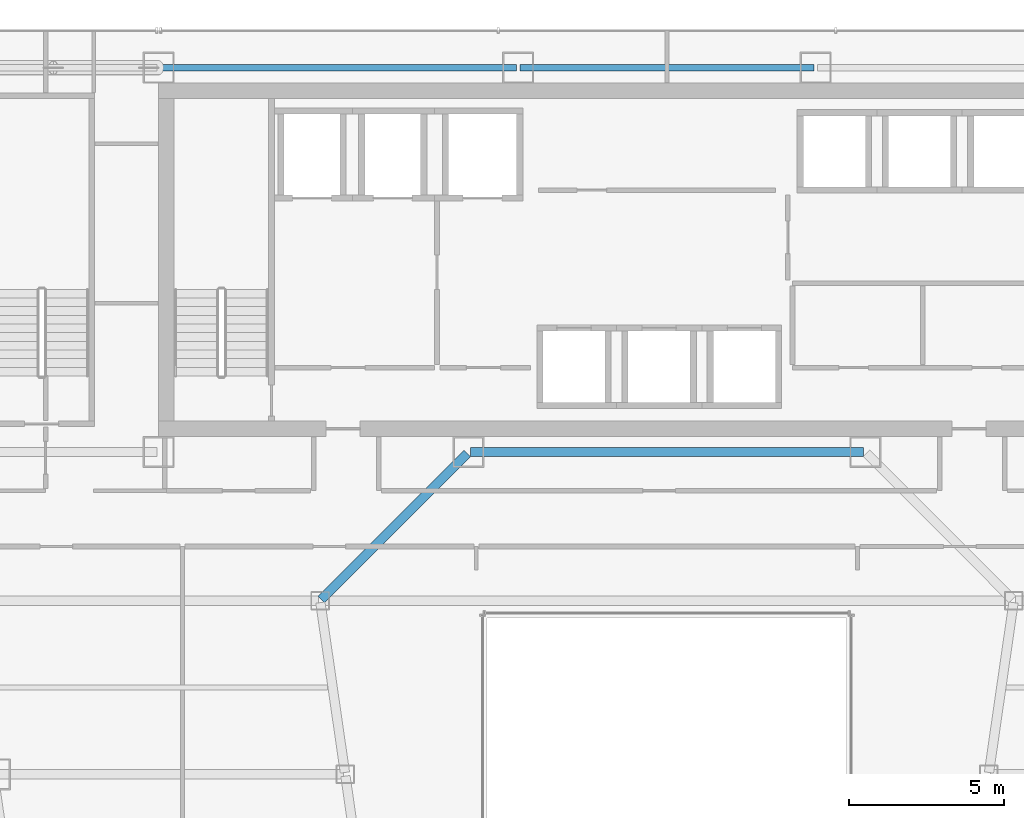
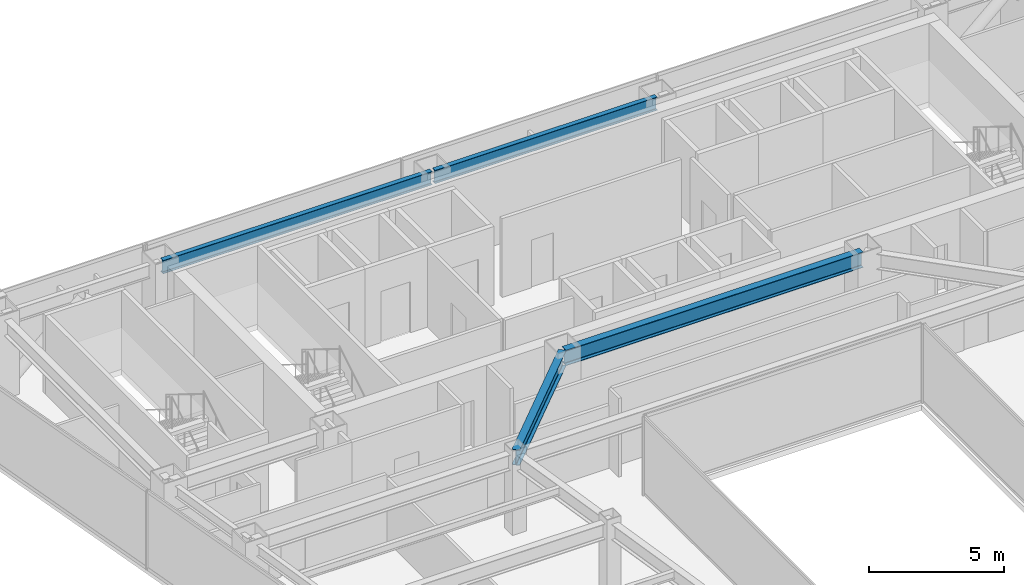
# One storey, part 21 of 36: 4 beams.
"""IFC4 building model written with IfcOpenShell, lengths in metres."""

from ifc_helpers import new_model, si_unit, direction, frame, origin, origin_2d, place, context, subcontext, project, spatial, i_section, extrude, material, material_profile, profile_set, type_object, element, save


model = new_model("IFC4")

# Units and contexts
model_context = context("Model", 3, precision=1e-05, world=origin(), true_north=direction((0.0, 1.0)))
body_context = subcontext(model_context, "Body", "Model", "MODEL_VIEW")
ifc_project = project(units=[si_unit("LENGTHUNIT", "METRE"), si_unit("AREAUNIT", "SQUARE_METRE"), si_unit("VOLUMEUNIT", "CUBIC_METRE"), si_unit("PLANEANGLEUNIT", "RADIAN"), si_unit("MASSUNIT", "GRAM", prefix="KILO")], contexts=[model_context])

# Site, building, storey
site_placement = place(None, origin())
site = spatial("IfcSite", under=ifc_project, at=site_placement, CompositionType="ELEMENT")
building_placement = place(site_placement, origin())
building = spatial("IfcBuilding", under=site, at=building_placement, Name="Saevonmaru Cultural Tower", CompositionType="ELEMENT")
storey_placement = place(building_placement, frame((0.0, 0.0, 156.199951171875)))
storey = spatial("IfcBuildingStorey", under=building, at=storey_placement, Name="L34", CompositionType="ELEMENT", Elevation=156.199951171875)

# Beams
ifc_material = material(Name="Steel SM355", Category="steel")
ifc_material_profile_1 = material_profile(ifc_material, i_section(OverallWidth=0.300048828125, OverallDepth=0.699951171875, WebThickness=0.012939453125, FlangeThickness=0.02392578125, FilletRadius=0.02587890625, at=origin_2d()), Name="H-700x300x13x24")
ifc_profile_set_1 = profile_set([ifc_material_profile_1], Name="Steel SM355")
beam_type_1 = type_object("IfcBeamType", Name="BM-G-H700", PredefinedType="BEAM", material=ifc_profile_set_1)
beam_1_placement = place(storey_placement, frame((23.659912109375, 42.39990234375, 3.199951171875), z_axis=(1.0, 0.0, 0.0), x_axis=(0.0, 1.0, 0.0)))
element("IfcBeam", 1, at=beam_1_placement, inside=storey, type_object=beam_type_1, Name="L34 Core South Girder 3", PredefinedType="BEAM", context=body_context, shape_type="SweptSolid", body=[
    extrude(i_section(OverallWidth=0.300048828125, OverallDepth=0.699951171875, WebThickness=0.012939453125, FlangeThickness=0.02392578125, FilletRadius=0.02587890625, at=origin_2d()), origin(), (0.0, 0.0, 1.0), 12.68017578125),
])
beam_2_placement = place(storey_placement, frame((18.850341796875, 37.642578125, 3.199951171875), z_axis=(0.706538566564, 0.707674539572, 0.0), x_axis=(-0.707674539572, 0.706538566564, 0.0)))
element("IfcBeam", 2, at=beam_2_placement, inside=storey, type_object=beam_type_1, Name="L34 West Atrium Girder 5", PredefinedType="BEAM", context=body_context, shape_type="SweptSolid", body=[
    extrude(i_section(OverallWidth=0.300048828125, OverallDepth=0.699951171875, WebThickness=0.012939453125, FlangeThickness=0.02392578125, FilletRadius=0.02587890625, at=origin_2d()), origin(), (0.0, 0.0, 1.0), 6.662353515625),
])
ifc_material_profile_2 = material_profile(ifc_material, i_section(OverallWidth=0.199951171875, OverallDepth=0.60009765625, WebThickness=0.010986328125, FlangeThickness=0.01708984375, FilletRadius=0.02197265625, at=origin_2d()), Name="H-600x200x11x17")
ifc_profile_set_2 = profile_set([ifc_material_profile_2], Name="Steel SM355")
beam_type_2 = type_object("IfcBeamType", Name="BM-SP-H600", PredefinedType="SPANDREL", material=ifc_profile_set_2)
beam_3_placement = place(storey_placement, frame((13.659912109375, 54.800048828125, 3.25), z_axis=(1.0, 0.0, 0.0), x_axis=(0.0, 1.0, 0.0)))
element("IfcBeam", 3, at=beam_3_placement, inside=storey, type_object=beam_type_2, Name="L34 North Spine Girder 2", PredefinedType="SPANDREL", context=body_context, shape_type="SweptSolid", body=[
    extrude(i_section(OverallWidth=0.199951171875, OverallDepth=0.60009765625, WebThickness=0.010986328125, FlangeThickness=0.01708984375, FilletRadius=0.02197265625, at=origin_2d()), origin(), (0.0, 0.0, 1.0), 11.47998046875),
])
beam_4_placement = place(storey_placement, frame((25.260009765625, 54.800048828125, 3.25), z_axis=(1.0, 0.0, 0.0), x_axis=(0.0, 1.0, 0.0)))
element("IfcBeam", 4, at=beam_4_placement, inside=storey, type_object=beam_type_2, Name="L34 North Spine Girder 3", PredefinedType="SPANDREL", context=body_context, shape_type="SweptSolid", body=[
    extrude(i_section(OverallWidth=0.199951171875, OverallDepth=0.60009765625, WebThickness=0.010986328125, FlangeThickness=0.01708984375, FilletRadius=0.02197265625, at=origin_2d()), origin(), (0.0, 0.0, 1.0), 9.47998046875),
])

save(model, "model.ifc")
